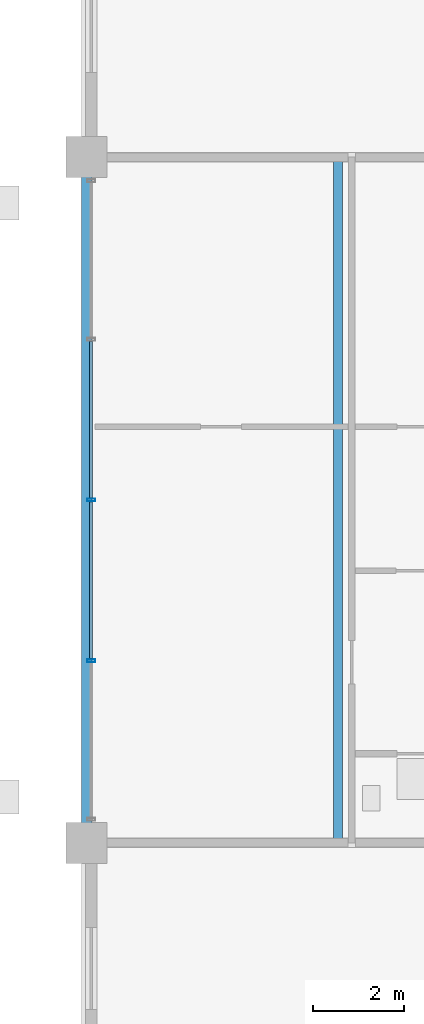
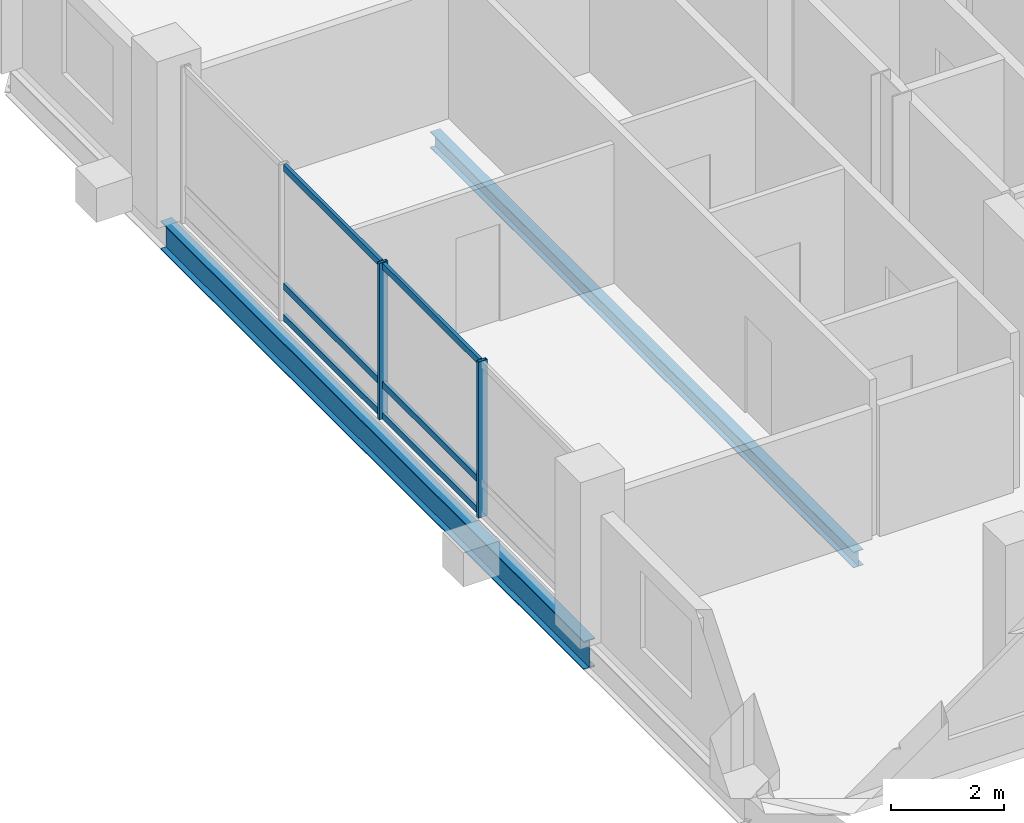
# One storey, part 6 of 21: 8 members, 2 beams, 1 element without a shape of its own.
"""IFC4 building model written with IfcOpenShell, lengths in metres."""

import ifcopenshell
import ifcopenshell.guid

model = None  # the IFC model being written
_history = None  # IfcOwnerHistory: only IFC2X3 demands one
_inside = {}  # id of a spatial element -> (the spatial element, [elements in it])
_under = {}  # id of a project, library or spatial element -> (it, [spatial elements below it])
_declared = {}  # id of a project -> (the project, [libraries it declares])
_typed = {}  # id of a type object -> (the type object, [elements of that type])
_made_of = {}  # id of a material, layer set ... -> (it, [elements and type objects made of it])


def new_model(schema):
    """Start an empty IFC model of exactly this schema.

    Asked for "IFC4X3", IfcOpenShell would pick the latest addendum, in which some entities
    have other attributes; the version numbers below select the first issue.
    IFC2X3 requires an IfcOwnerHistory on every rooted entity: one is made here for all.
    """
    global model, _history
    if schema == "IFC4X3":
        model = ifcopenshell.file(schema_version=(4, 3, 0, 0))
    else:
        model = ifcopenshell.file(schema=schema)
    _inside.clear()
    _under.clear()
    _declared.clear()
    _typed.clear()
    _made_of.clear()
    _history = None
    if model.schema == "IFC2X3":
        org = make("IfcOrganization", Name="unknown")
        user = make(
            "IfcPersonAndOrganization",
            ThePerson=make("IfcPerson", FamilyName="unknown"),
            TheOrganization=org,
        )
        app = make(
            "IfcApplication",
            ApplicationDeveloper=org,
            Version="unknown",
            ApplicationFullName="unknown",
            ApplicationIdentifier="unknown",
        )
        _history = make(
            "IfcOwnerHistory",
            OwningUser=user,
            OwningApplication=app,
            ChangeAction="ADDED",
            CreationDate=0,
        )
    return model


def make(cls, **values):
    """One entity of the class cls with the attributes given. An attribute that is None is left unset."""
    return model.create_entity(
        cls, **{name: value for name, value in values.items() if value is not None}
    )


def rooted(cls, **values):
    """An entity with a GlobalId (a new one), such as an element, a storey or a relation."""
    return make(cls, GlobalId=ifcopenshell.guid.new(), OwnerHistory=_history, **values)


def si_unit(unit_type, name, prefix=None):
    """IfcSIUnit, for example si_unit("LENGTHUNIT", "METRE", prefix="MILLI")."""
    return make("IfcSIUnit", UnitType=unit_type, Prefix=prefix, Name=name)


def assignment(units):
    """IfcUnitAssignment: the units of a project."""
    return None if units is None else make("IfcUnitAssignment", Units=units)


def point(xyz):
    """IfcCartesianPoint."""
    return None if xyz is None else make("IfcCartesianPoint", Coordinates=xyz)


def direction(xyz):
    """IfcDirection."""
    return None if xyz is None else make("IfcDirection", DirectionRatios=xyz)


def frame(location, z_axis=None, x_axis=None):
    """IfcAxis2Placement3D, a coordinate frame: its origin and axes. An axis left out is left unset."""
    return make(
        "IfcAxis2Placement3D",
        Location=point(location),
        Axis=direction(z_axis),
        RefDirection=direction(x_axis),
    )


def frame_2d(location, x_axis=None):
    """IfcAxis2Placement2D, a coordinate frame in the plane: its origin and x axis."""
    return make(
        "IfcAxis2Placement2D", Location=point(location), RefDirection=direction(x_axis)
    )


def origin():
    """The frame at (0, 0, 0) with its axes left unset."""
    return frame((0.0, 0.0, 0.0))


def origin_2d():
    """The frame at (0, 0) in the plane with its x axis left unset."""
    return frame_2d((0.0, 0.0))


def place(relative_to, where):
    """IfcLocalPlacement: puts the frame where relative to a parent placement (None: the world)."""
    return make(
        "IfcLocalPlacement", PlacementRelTo=relative_to, RelativePlacement=where
    )


def context(
    kind, dimensions, precision=None, world=None, true_north=None, identifier=None
):
    """IfcGeometricRepresentationContext, for example the 3D "Model" context."""
    return make(
        "IfcGeometricRepresentationContext",
        ContextIdentifier=identifier,
        ContextType=kind,
        CoordinateSpaceDimension=dimensions,
        Precision=precision,
        WorldCoordinateSystem=world,
        TrueNorth=true_north,
    )


def subcontext(parent, identifier, kind, view, scale=None):
    """IfcGeometricRepresentationSubContext, for example "Body" below "Model"."""
    return make(
        "IfcGeometricRepresentationSubContext",
        ContextIdentifier=identifier,
        ContextType=kind,
        ParentContext=parent,
        TargetScale=scale,
        TargetView=view,
    )


def project(units=None, contexts=None):
    """IfcProject with its units and contexts."""
    return rooted(
        "IfcProject",
        Name="project",
        RepresentationContexts=contexts,
        UnitsInContext=assignment(units),
    )


def spatial(cls, under=None, at=None, **own):
    """A site, building, storey or space (cls), placed at a placement, below another one or the project."""
    s = rooted(cls, ObjectPlacement=at, **own)
    if under is not None:
        _under.setdefault(under.id(), (under, []))[1].append(s)
    return s


def profile(cls, at=None, kind="AREA", **sizes):
    """A parametric profile (cls). Its sizes go by their IFC names, for example OverallWidth=200.0."""
    return make(cls, ProfileType=kind, Position=at, **sizes)


def hollow_rectangle(**sizes):
    """IfcRectangleHollowProfileDef."""
    return profile("IfcRectangleHollowProfileDef", **sizes)


def i_section(**sizes):
    """IfcIShapeProfileDef."""
    return profile("IfcIShapeProfileDef", **sizes)


def extrude(swept, where, along, depth):
    """IfcExtrudedAreaSolid: the profile swept, set in the frame where, extruded along a direction by depth."""
    return make(
        "IfcExtrudedAreaSolid",
        SweptArea=swept,
        Position=where,
        ExtrudedDirection=direction(along),
        Depth=depth,
    )


def shape(context_of_items, identifier, shape_type, items):
    """IfcShapeRepresentation: the items that make up one representation, for example the "Body"."""
    return make(
        "IfcShapeRepresentation",
        ContextOfItems=context_of_items,
        RepresentationIdentifier=identifier,
        RepresentationType=shape_type,
        Items=items,
    )


def material(Name=None, Category=None):
    """IfcMaterial."""
    return make("IfcMaterial", Name=Name, Category=Category)


def layer(
    of_material, thickness, ventilated=None, Name=None, Category=None, Priority=None
):
    """IfcMaterialLayer: one layer of a wall or slab, of a material (None: an air gap)."""
    return make(
        "IfcMaterialLayer",
        Material=of_material,
        LayerThickness=thickness,
        IsVentilated=ventilated,
        Name=Name,
        Category=Category,
        Priority=Priority,
    )


def layer_set(layers, Name=None):
    """IfcMaterialLayerSet."""
    return make("IfcMaterialLayerSet", MaterialLayers=layers, LayerSetName=Name)


def material_profile(
    of_material, cross_section, Name=None, Category=None, Priority=None
):
    """IfcMaterialProfile: a cross section and its material."""
    return make(
        "IfcMaterialProfile",
        Name=Name,
        Material=of_material,
        Profile=cross_section,
        Priority=Priority,
        Category=Category,
    )


def profile_set(profiles, Name=None, composite=None):
    """IfcMaterialProfileSet."""
    return make(
        "IfcMaterialProfileSet",
        Name=Name,
        MaterialProfiles=profiles,
        CompositeProfile=composite,
    )


def made_of(thing, what):
    """Note that an element or type object is made of a material, layer set ...; save() writes the relation."""
    if what is not None:
        _made_of.setdefault(what.id(), (what, []))[1].append(thing)
    return thing


def type_object(cls, material=None, **own):
    """A type object (cls), such as IfcWallType, which elements share."""
    return made_of(rooted(cls, **own), material)


def element(
    cls,
    number,
    at=None,
    inside=None,
    cuts=None,
    type_object=None,
    material=None,
    context=None,
    identifier="Body",
    shape_type=None,
    held_by="IfcProductDefinitionShape",
    body=None,
    shapes=None,
    **own,
):
    """One element of the class cls, such as IfcWall. Its Tag is "e" and its number.

    at: its placement. inside: the storey or other place that contains it. cuts: it is an
    opening in that element (IfcRelVoidsElement). A single representation is given by context,
    identifier, shape_type and body (its items); several are given by shapes. held_by: the class
    of the entity that holds the representations. save() writes the other relations.
    """
    e = rooted(cls, Tag="e%d" % number, ObjectPlacement=at, **own)
    if body is not None:
        shapes = [shape(context, identifier, shape_type, body)]
    if shapes is not None:
        e.Representation = make(held_by, Representations=shapes)
    if inside is not None:
        _inside.setdefault(inside.id(), (inside, []))[1].append(e)
    if cuts is not None:
        rooted(
            "IfcRelVoidsElement", RelatingBuildingElement=cuts, RelatedOpeningElement=e
        )
    if type_object is not None:
        _typed.setdefault(type_object.id(), (type_object, []))[1].append(e)
    return made_of(e, material)


def aggregate(whole, parts):
    """IfcRelAggregates: a whole, such as a stair, and the parts it consists of."""
    return rooted("IfcRelAggregates", RelatingObject=whole, RelatedObjects=parts)


def save(model, path):
    """Write the relations noted so far, then the file.

    IfcRelAggregates (storeys below a building ...), IfcRelContainedInSpatialStructure (elements
    in a storey), IfcRelDefinesByType, IfcRelAssociatesMaterial and IfcRelDeclares: one each for
    every whole, place, type object, material and project.
    """
    for whole, parts in _under.values():
        aggregate(whole, parts)
    for where, things in _inside.values():
        rooted(
            "IfcRelContainedInSpatialStructure",
            RelatedElements=things,
            RelatingStructure=where,
        )
    for kind, things in _typed.values():
        rooted("IfcRelDefinesByType", RelatedObjects=things, RelatingType=kind)
    for what, things in _made_of.values():
        rooted("IfcRelAssociatesMaterial", RelatedObjects=things, RelatingMaterial=what)
    for by, libraries in _declared.values():
        rooted("IfcRelDeclares", RelatingContext=by, RelatedDefinitions=libraries)
    model.write(path)


model = new_model("IFC4")

# Units and contexts
model_context = context("Model", 3, precision=1e-05, world=origin(), true_north=direction((0.0, 1.0)))
body_context = subcontext(model_context, "Body", "Model", "MODEL_VIEW")
ifc_project = project(units=[si_unit("LENGTHUNIT", "METRE"), si_unit("AREAUNIT", "SQUARE_METRE"), si_unit("VOLUMEUNIT", "CUBIC_METRE"), si_unit("PLANEANGLEUNIT", "RADIAN"), si_unit("MASSUNIT", "GRAM", prefix="KILO")], contexts=[model_context])

# Site, building, storey
site_placement = place(None, origin())
site = spatial("IfcSite", under=ifc_project, at=site_placement, CompositionType="ELEMENT")
building_placement = place(site_placement, origin())
building = spatial("IfcBuilding", under=site, at=building_placement, Name="Barlavira Tower and Art Museum", CompositionType="ELEMENT")
storey_placement = place(building_placement, frame((0.0, 0.0, 287.10009765625)))
storey = spatial("IfcBuildingStorey", under=building, at=storey_placement, Name="L75", CompositionType="ELEMENT", Elevation=287.10009765625)

# Curtain wall, members
ifc_material_1 = material(Name="Low-iron coastal laminated glass", Category="glass")
ifc_layer = layer(ifc_material_1, 0.2099609375, Name="Low-iron coastal laminated glass")
ifc_layer_set = layer_set([ifc_layer], Name="Low-iron coastal laminated glass")
curtain_wall_type = type_object("IfcCurtainWallType", Name="Pale-Metal Unitised Curtain Wall Zone 4", PredefinedType="NOTDEFINED", material=ifc_layer_set)
curtain_wall_placement = place(storey_placement, origin())
curtain_wall = element("IfcCurtainWall", 1, at=curtain_wall_placement, inside=storey, type_object=curtain_wall_type, Name="L75 Curtain Wall CW4-L75-W-B3", PredefinedType="NOTDEFINED")
ifc_material_2 = material(Name="Pale anodised aluminium", Category="aluminium")
ifc_material_profile_1 = material_profile(ifc_material_2, hollow_rectangle(XDim=0.06494140625, YDim=0.179931640625, WallThickness=0.00390625, at=origin_2d()), Name="ALU-MULL 65x180x4")
ifc_profile_set_1 = profile_set([ifc_material_profile_1], Name="Pale anodised aluminium")
member_type_1 = type_object("IfcMemberType", Name="Curtain Wall Pale-Metal Mullion 65x180", PredefinedType="MULLION", material=ifc_profile_set_1)
member_1_placement = place(storey_placement, frame((-16.89990234375, 0.0, 0.0), z_axis=(0.0, 0.0, 1.0), x_axis=(0.0, -1.0, 0.0)))
member_1 = element("IfcMember", 2, at=member_1_placement, type_object=member_type_1, Name="CW4-L75-W-B3 Mullion 2", PredefinedType="MULLION", context=body_context, shape_type="SweptSolid", body=[
    extrude(hollow_rectangle(XDim=0.06494140625, YDim=0.179931640625, WallThickness=0.00390625, at=origin_2d()), origin(), (0.0, 0.0, 1.0), 3.3798828125),
])
member_2_placement = place(storey_placement, frame((-16.89990234375, -3.514892578125, 0.0), z_axis=(0.0, 0.0, 1.0), x_axis=(0.0, -1.0, 0.0)))
member_2 = element("IfcMember", 3, at=member_2_placement, type_object=member_type_1, Name="CW4-L75-W-B3 Mullion 3", PredefinedType="MULLION", context=body_context, shape_type="SweptSolid", body=[
    extrude(hollow_rectangle(XDim=0.06494140625, YDim=0.179931640625, WallThickness=0.00390625, at=origin_2d()), origin(), (0.0, 0.0, 1.0), 3.3798828125),
])
ifc_material_profile_2 = material_profile(ifc_material_2, hollow_rectangle(XDim=0.06494140625, YDim=0.139892578125, WallThickness=0.00390625, at=origin_2d()), Name="ALU-TRAN 65x140x4")
ifc_profile_set_2 = profile_set([ifc_material_profile_2], Name="Pale anodised aluminium")
member_type_2 = type_object("IfcMemberType", Name="Curtain Wall Pale-Metal Transom 65x140", PredefinedType="USERDEFINED", material=ifc_profile_set_2)
member_3_placement = place(storey_placement, frame((-16.89990234375, 3.469970703125, 0.06982421875), z_axis=(0.0, -1.0, 0.0), x_axis=(1.0, 0.0, 0.0)))
member_3 = element("IfcMember", 4, at=member_3_placement, type_object=member_type_2, Name="CW4-L75-W-B3 Transom 1.1", ObjectType="TRANSOM", PredefinedType="USERDEFINED", context=body_context, shape_type="SweptSolid", body=[
    extrude(hollow_rectangle(XDim=0.06494140625, YDim=0.139892578125, WallThickness=0.00390625, at=origin_2d()), origin(), (0.0, 0.0, 1.0), 3.425048828125),
])
member_4_placement = place(storey_placement, frame((-16.89990234375, 3.469970703125, 0.743896484375), z_axis=(0.0, -1.0, 0.0), x_axis=(1.0, 0.0, 0.0)))
member_4 = element("IfcMember", 5, at=member_4_placement, type_object=member_type_2, Name="CW4-L75-W-B3 Transom 1.2", ObjectType="TRANSOM", PredefinedType="USERDEFINED", context=body_context, shape_type="SweptSolid", body=[
    extrude(hollow_rectangle(XDim=0.06494140625, YDim=0.139892578125, WallThickness=0.00390625, at=origin_2d()), origin(), (0.0, 0.0, 1.0), 3.425048828125),
])
member_5_placement = place(storey_placement, frame((-16.89990234375, 3.469970703125, 3.309814453125), z_axis=(0.0, -1.0, 0.0), x_axis=(1.0, 0.0, 0.0)))
member_5 = element("IfcMember", 6, at=member_5_placement, type_object=member_type_2, Name="CW4-L75-W-B3 Transom 1.3", ObjectType="TRANSOM", PredefinedType="USERDEFINED", context=body_context, shape_type="SweptSolid", body=[
    extrude(hollow_rectangle(XDim=0.06494140625, YDim=0.139892578125, WallThickness=0.00390625, at=origin_2d()), origin(), (0.0, 0.0, 1.0), 3.425048828125),
])
member_6_placement = place(storey_placement, frame((-16.89990234375, -0.044921875, 0.06982421875), z_axis=(0.0, -1.0, 0.0), x_axis=(1.0, 0.0, 0.0)))
member_6 = element("IfcMember", 7, at=member_6_placement, type_object=member_type_2, Name="CW4-L75-W-B3 Transom 2.1", ObjectType="TRANSOM", PredefinedType="USERDEFINED", context=body_context, shape_type="SweptSolid", body=[
    extrude(hollow_rectangle(XDim=0.06494140625, YDim=0.139892578125, WallThickness=0.00390625, at=origin_2d()), origin(), (0.0, 0.0, 1.0), 3.425048828125),
])
member_7_placement = place(storey_placement, frame((-16.89990234375, -0.044921875, 0.743896484375), z_axis=(0.0, -1.0, 0.0), x_axis=(1.0, 0.0, 0.0)))
member_7 = element("IfcMember", 8, at=member_7_placement, type_object=member_type_2, Name="CW4-L75-W-B3 Transom 2.2", ObjectType="TRANSOM", PredefinedType="USERDEFINED", context=body_context, shape_type="SweptSolid", body=[
    extrude(hollow_rectangle(XDim=0.06494140625, YDim=0.139892578125, WallThickness=0.00390625, at=origin_2d()), origin(), (0.0, 0.0, 1.0), 3.425048828125),
])
member_8_placement = place(storey_placement, frame((-16.89990234375, -0.044921875, 3.309814453125), z_axis=(0.0, -1.0, 0.0), x_axis=(1.0, 0.0, 0.0)))
member_8 = element("IfcMember", 9, at=member_8_placement, type_object=member_type_2, Name="CW4-L75-W-B3 Transom 2.3", ObjectType="TRANSOM", PredefinedType="USERDEFINED", context=body_context, shape_type="SweptSolid", body=[
    extrude(hollow_rectangle(XDim=0.06494140625, YDim=0.139892578125, WallThickness=0.00390625, at=origin_2d()), origin(), (0.0, 0.0, 1.0), 3.425048828125),
])
aggregate(curtain_wall, [member_1, member_2, member_3, member_4, member_5, member_6, member_7, member_8])

# Beams
ifc_material_3 = material(Name="Steel S355", Category="steel")
ifc_material_profile_3 = material_profile(ifc_material_3, i_section(OverallWidth=0.22998046875, OverallDepth=0.616943359375, WebThickness=0.01318359375, FlangeThickness=0.022216796875, at=origin_2d()), Name="W610x140.0")
ifc_profile_set_3 = profile_set([ifc_material_profile_3], Name="Steel S355")
beam_type_1 = type_object("IfcBeamType", Name="Upper Shaft Spandrel Edge Beam W610x140 Steel S355", PredefinedType="SPANDREL", material=ifc_profile_set_3)
beam_1_placement = place(storey_placement, frame((-17.0, -7.5, -0.528564453125), z_axis=(0.0, 1.0, 0.0), x_axis=(-1.0, 0.0, 0.0)))
element("IfcBeam", 10, at=beam_1_placement, inside=storey, type_object=beam_type_1, Name="L75 Spandrel 14", PredefinedType="SPANDREL", context=body_context, shape_type="SweptSolid", body=[
    extrude(i_section(OverallWidth=0.22998046875, OverallDepth=0.616943359375, WebThickness=0.01318359375, FlangeThickness=0.022216796875, at=origin_2d()), origin(), (0.0, 0.0, 1.0), 15.0),
])
ifc_material_profile_4 = material_profile(ifc_material_3, i_section(OverallWidth=0.202880859375, OverallDepth=0.346923828125, WebThickness=0.0078125, FlangeThickness=0.013427734375, at=origin_2d()), Name="W360x64.0")
ifc_profile_set_4 = profile_set([ifc_material_profile_4], Name="Steel S355")
beam_type_2 = type_object("IfcBeamType", Name="Zone 4 Composite Floor Joist W360x64 Steel S355", PredefinedType="JOIST", material=ifc_profile_set_4)
beam_2_placement = place(storey_placement, frame((-11.5, -7.5, -0.3935546875), z_axis=(0.0, 1.0, 0.0), x_axis=(-1.0, 0.0, 0.0)))
element("IfcBeam", 11, at=beam_2_placement, inside=storey, type_object=beam_type_2, Name="L75 Joist W1", PredefinedType="JOIST", context=body_context, shape_type="SweptSolid", body=[
    extrude(i_section(OverallWidth=0.202880859375, OverallDepth=0.346923828125, WebThickness=0.0078125, FlangeThickness=0.013427734375, at=origin_2d()), origin(), (0.0, 0.0, 1.0), 15.0),
])

save(model, "model.ifc")
